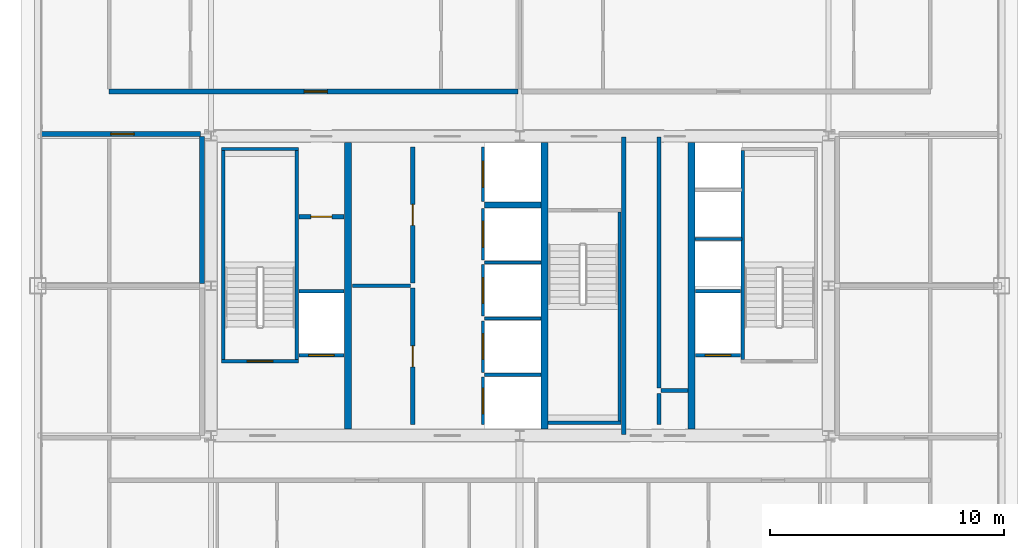
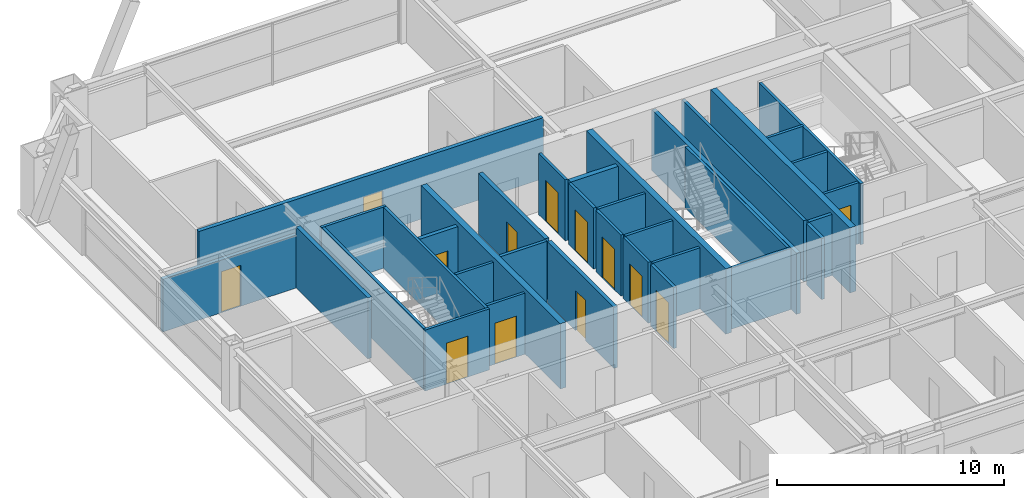
# One storey, part 32 of 35: 35 walls, 13 doors, 13 openings.
"""IFC4 building model written with IfcOpenShell, lengths in metres."""

import ifcopenshell
import ifcopenshell.guid

model = None  # the IFC model being written
_history = None  # IfcOwnerHistory: only IFC2X3 demands one
_inside = {}  # id of a spatial element -> (the spatial element, [elements in it])
_under = {}  # id of a project, library or spatial element -> (it, [spatial elements below it])
_declared = {}  # id of a project -> (the project, [libraries it declares])
_typed = {}  # id of a type object -> (the type object, [elements of that type])
_made_of = {}  # id of a material, layer set ... -> (it, [elements and type objects made of it])


def new_model(schema):
    """Start an empty IFC model of exactly this schema.

    Asked for "IFC4X3", IfcOpenShell would pick the latest addendum, in which some entities
    have other attributes; the version numbers below select the first issue.
    IFC2X3 requires an IfcOwnerHistory on every rooted entity: one is made here for all.
    """
    global model, _history
    if schema == "IFC4X3":
        model = ifcopenshell.file(schema_version=(4, 3, 0, 0))
    else:
        model = ifcopenshell.file(schema=schema)
    _inside.clear()
    _under.clear()
    _declared.clear()
    _typed.clear()
    _made_of.clear()
    _history = None
    if model.schema == "IFC2X3":
        org = make("IfcOrganization", Name="unknown")
        user = make(
            "IfcPersonAndOrganization",
            ThePerson=make("IfcPerson", FamilyName="unknown"),
            TheOrganization=org,
        )
        app = make(
            "IfcApplication",
            ApplicationDeveloper=org,
            Version="unknown",
            ApplicationFullName="unknown",
            ApplicationIdentifier="unknown",
        )
        _history = make(
            "IfcOwnerHistory",
            OwningUser=user,
            OwningApplication=app,
            ChangeAction="ADDED",
            CreationDate=0,
        )
    return model


def make(cls, **values):
    """One entity of the class cls with the attributes given. An attribute that is None is left unset."""
    return model.create_entity(
        cls, **{name: value for name, value in values.items() if value is not None}
    )


def rooted(cls, **values):
    """An entity with a GlobalId (a new one), such as an element, a storey or a relation."""
    return make(cls, GlobalId=ifcopenshell.guid.new(), OwnerHistory=_history, **values)


def si_unit(unit_type, name, prefix=None):
    """IfcSIUnit, for example si_unit("LENGTHUNIT", "METRE", prefix="MILLI")."""
    return make("IfcSIUnit", UnitType=unit_type, Prefix=prefix, Name=name)


def assignment(units):
    """IfcUnitAssignment: the units of a project."""
    return None if units is None else make("IfcUnitAssignment", Units=units)


def point(xyz):
    """IfcCartesianPoint."""
    return None if xyz is None else make("IfcCartesianPoint", Coordinates=xyz)


def direction(xyz):
    """IfcDirection."""
    return None if xyz is None else make("IfcDirection", DirectionRatios=xyz)


def frame(location, z_axis=None, x_axis=None):
    """IfcAxis2Placement3D, a coordinate frame: its origin and axes. An axis left out is left unset."""
    return make(
        "IfcAxis2Placement3D",
        Location=point(location),
        Axis=direction(z_axis),
        RefDirection=direction(x_axis),
    )


def frame_2d(location, x_axis=None):
    """IfcAxis2Placement2D, a coordinate frame in the plane: its origin and x axis."""
    return make(
        "IfcAxis2Placement2D", Location=point(location), RefDirection=direction(x_axis)
    )


def origin():
    """The frame at (0, 0, 0) with its axes left unset."""
    return frame((0.0, 0.0, 0.0))


def place(relative_to, where):
    """IfcLocalPlacement: puts the frame where relative to a parent placement (None: the world)."""
    return make(
        "IfcLocalPlacement", PlacementRelTo=relative_to, RelativePlacement=where
    )


def context(
    kind, dimensions, precision=None, world=None, true_north=None, identifier=None
):
    """IfcGeometricRepresentationContext, for example the 3D "Model" context."""
    return make(
        "IfcGeometricRepresentationContext",
        ContextIdentifier=identifier,
        ContextType=kind,
        CoordinateSpaceDimension=dimensions,
        Precision=precision,
        WorldCoordinateSystem=world,
        TrueNorth=true_north,
    )


def subcontext(parent, identifier, kind, view, scale=None):
    """IfcGeometricRepresentationSubContext, for example "Body" below "Model"."""
    return make(
        "IfcGeometricRepresentationSubContext",
        ContextIdentifier=identifier,
        ContextType=kind,
        ParentContext=parent,
        TargetScale=scale,
        TargetView=view,
    )


def project(units=None, contexts=None):
    """IfcProject with its units and contexts."""
    return rooted(
        "IfcProject",
        Name="project",
        RepresentationContexts=contexts,
        UnitsInContext=assignment(units),
    )


def spatial(cls, under=None, at=None, **own):
    """A site, building, storey or space (cls), placed at a placement, below another one or the project."""
    s = rooted(cls, ObjectPlacement=at, **own)
    if under is not None:
        _under.setdefault(under.id(), (under, []))[1].append(s)
    return s


def profile(cls, at=None, kind="AREA", **sizes):
    """A parametric profile (cls). Its sizes go by their IFC names, for example OverallWidth=200.0."""
    return make(cls, ProfileType=kind, Position=at, **sizes)


def rectangle(**sizes):
    """IfcRectangleProfileDef."""
    return profile("IfcRectangleProfileDef", **sizes)


def extrude(swept, where, along, depth):
    """IfcExtrudedAreaSolid: the profile swept, set in the frame where, extruded along a direction by depth."""
    return make(
        "IfcExtrudedAreaSolid",
        SweptArea=swept,
        Position=where,
        ExtrudedDirection=direction(along),
        Depth=depth,
    )


def shape(context_of_items, identifier, shape_type, items):
    """IfcShapeRepresentation: the items that make up one representation, for example the "Body"."""
    return make(
        "IfcShapeRepresentation",
        ContextOfItems=context_of_items,
        RepresentationIdentifier=identifier,
        RepresentationType=shape_type,
        Items=items,
    )


def source(mapping_origin, context_of_items, identifier, shape_type, items):
    """IfcRepresentationMap: a shape defined once, which mapped items show again and again."""
    return make(
        "IfcRepresentationMap",
        MappingOrigin=mapping_origin,
        MappedRepresentation=shape(context_of_items, identifier, shape_type, items),
    )


def transform(
    local_origin,
    x_axis=None,
    y_axis=None,
    z_axis=None,
    scale=None,
    scale2=None,
    scale3=None,
    uniform=True,
):
    """IfcCartesianTransformationOperator3D, or its non-uniform kind. x_axis, y_axis, z_axis: its Axis1, 2, 3."""
    if uniform:
        return make(
            "IfcCartesianTransformationOperator3D",
            Axis1=direction(x_axis),
            Axis2=direction(y_axis),
            LocalOrigin=point(local_origin),
            Scale=scale,
            Axis3=direction(z_axis),
        )
    return make(
        "IfcCartesianTransformationOperator3DnonUniform",
        Axis1=direction(x_axis),
        Axis2=direction(y_axis),
        LocalOrigin=point(local_origin),
        Scale=scale,
        Axis3=direction(z_axis),
        Scale2=scale2,
        Scale3=scale3,
    )


def mapped(mapping_source, mapping_target):
    """IfcMappedItem: shows the shape of a source again, moved by a transform."""
    return make(
        "IfcMappedItem", MappingSource=mapping_source, MappingTarget=mapping_target
    )


def material(Name=None, Category=None):
    """IfcMaterial."""
    return make("IfcMaterial", Name=Name, Category=Category)


def layer(
    of_material, thickness, ventilated=None, Name=None, Category=None, Priority=None
):
    """IfcMaterialLayer: one layer of a wall or slab, of a material (None: an air gap)."""
    return make(
        "IfcMaterialLayer",
        Material=of_material,
        LayerThickness=thickness,
        IsVentilated=ventilated,
        Name=Name,
        Category=Category,
        Priority=Priority,
    )


def layer_set(layers, Name=None):
    """IfcMaterialLayerSet."""
    return make("IfcMaterialLayerSet", MaterialLayers=layers, LayerSetName=Name)


def made_of(thing, what):
    """Note that an element or type object is made of a material, layer set ...; save() writes the relation."""
    if what is not None:
        _made_of.setdefault(what.id(), (what, []))[1].append(thing)
    return thing


def type_object(cls, material=None, **own):
    """A type object (cls), such as IfcWallType, which elements share."""
    return made_of(rooted(cls, **own), material)


def element(
    cls,
    number,
    at=None,
    inside=None,
    cuts=None,
    type_object=None,
    material=None,
    context=None,
    identifier="Body",
    shape_type=None,
    held_by="IfcProductDefinitionShape",
    body=None,
    shapes=None,
    **own,
):
    """One element of the class cls, such as IfcWall. Its Tag is "e" and its number.

    at: its placement. inside: the storey or other place that contains it. cuts: it is an
    opening in that element (IfcRelVoidsElement). A single representation is given by context,
    identifier, shape_type and body (its items); several are given by shapes. held_by: the class
    of the entity that holds the representations. save() writes the other relations.
    """
    e = rooted(cls, Tag="e%d" % number, ObjectPlacement=at, **own)
    if body is not None:
        shapes = [shape(context, identifier, shape_type, body)]
    if shapes is not None:
        e.Representation = make(held_by, Representations=shapes)
    if inside is not None:
        _inside.setdefault(inside.id(), (inside, []))[1].append(e)
    if cuts is not None:
        rooted(
            "IfcRelVoidsElement", RelatingBuildingElement=cuts, RelatedOpeningElement=e
        )
    if type_object is not None:
        _typed.setdefault(type_object.id(), (type_object, []))[1].append(e)
    return made_of(e, material)


def fill(opening, filler):
    """IfcRelFillsElement: the door or window that sits in an opening."""
    return rooted(
        "IfcRelFillsElement",
        RelatingOpeningElement=opening,
        RelatedBuildingElement=filler,
    )


def aggregate(whole, parts):
    """IfcRelAggregates: a whole, such as a stair, and the parts it consists of."""
    return rooted("IfcRelAggregates", RelatingObject=whole, RelatedObjects=parts)


def save(model, path):
    """Write the relations noted so far, then the file.

    IfcRelAggregates (storeys below a building ...), IfcRelContainedInSpatialStructure (elements
    in a storey), IfcRelDefinesByType, IfcRelAssociatesMaterial and IfcRelDeclares: one each for
    every whole, place, type object, material and project.
    """
    for whole, parts in _under.values():
        aggregate(whole, parts)
    for where, things in _inside.values():
        rooted(
            "IfcRelContainedInSpatialStructure",
            RelatedElements=things,
            RelatingStructure=where,
        )
    for kind, things in _typed.values():
        rooted("IfcRelDefinesByType", RelatedObjects=things, RelatingType=kind)
    for what, things in _made_of.values():
        rooted("IfcRelAssociatesMaterial", RelatedObjects=things, RelatingMaterial=what)
    for by, libraries in _declared.values():
        rooted("IfcRelDeclares", RelatingContext=by, RelatedDefinitions=libraries)
    model.write(path)


model = new_model("IFC4")

# Units and contexts
model_context = context("Model", 3, precision=1e-05, world=origin(), true_north=direction((0.0, 1.0)))
body_context = subcontext(model_context, "Body", "Model", "MODEL_VIEW")
ifc_project = project(units=[si_unit("LENGTHUNIT", "METRE"), si_unit("AREAUNIT", "SQUARE_METRE"), si_unit("VOLUMEUNIT", "CUBIC_METRE"), si_unit("PLANEANGLEUNIT", "RADIAN"), si_unit("MASSUNIT", "GRAM", prefix="KILO"), si_unit("THERMODYNAMICTEMPERATUREUNIT", "KELVIN"), si_unit("POWERUNIT", "WATT")], contexts=[model_context])

# Site, building, storey
site_placement = place(None, origin())
site = spatial("IfcSite", under=ifc_project, at=site_placement, CompositionType="ELEMENT")
building_placement = place(site_placement, origin())
building = spatial("IfcBuilding", under=site, at=building_placement, Name="Yuzanri Waterfront Tower", CompositionType="ELEMENT")
storey_placement = place(building_placement, frame((0.0, 0.0, 227.60009765625)))
storey = spatial("IfcBuildingStorey", under=building, at=storey_placement, Name="L60", CompositionType="ELEMENT", Elevation=227.60009765625)

# Wall, opening, door
ifc_material_1 = material(Name="Concrete C40", Category="concrete")
ifc_layer_1 = layer(ifc_material_1, 0.139892578125)
ifc_layer_set_1 = layer_set([ifc_layer_1], Name="Concrete C40")
wall_type_1 = type_object("IfcWallType", Name="Core Stair Liner and Hoistway Shaft Wall 140", PredefinedType="SOLIDWALL", material=ifc_layer_set_1)
wall_1_placement = place(storey_placement, frame((27.56005859375, 22.830078125, 0.0), z_axis=(0.0, 0.0, 1.0), x_axis=(1.0, 0.0, 0.0)))
wall_1 = element("IfcWall", 1, at=wall_1_placement, inside=storey, type_object=wall_type_1, Name="L60 Lift FL-01 Front Shaft Wall", PredefinedType="SOLIDWALL", context=body_context, shape_type="SweptSolid", body=[
    extrude(rectangle(XDim=1.919921875, YDim=0.139892578125, at=frame_2d((0.9599609375, 0.0))), origin(), (0.0, 0.0, 1.0), 3.27978515625),
])
opening_1_placement = place(wall_1_placement, frame((0.409912109375, 0.0, 0.0)))
opening_1 = element("IfcOpeningElement", 2, at=opening_1_placement, cuts=wall_1, Name="Opening LD-FL-01", PredefinedType="OPENING", context=body_context, shape_type="SweptSolid", body=[
    extrude(rectangle(XDim=1.10009765625, YDim=2.199951171875, at=frame_2d((0.550048828125, 1.10009765625))), frame((0.0, 0.0849609375, 0.0), z_axis=(0.0, -1.0, 0.0), x_axis=(1.0, 0.0, 0.0)), (0.0, 0.0, 1.0), 0.169677734375),
])
ifc_material_2 = material(Name="Brushed Bronze and Stainless Steel Cab", Category="steel")
door_type_1 = type_object("IfcDoorType", Name="Center-Parting Bronze Lift Landing Sliding Door 1100x2200", OperationType="NOTDEFINED", PredefinedType="DOOR", material=ifc_material_2)
shared_shape_1 = source(origin(), body_context, "Body", "SweptSolid", [
    extrude(rectangle(XDim=1.10009765625, YDim=2.199951171875, at=frame_2d((0.550048828125, 1.10009765625))), frame((0.0, 0.02490234375, 0.0), z_axis=(0.0, -1.0, 0.0), x_axis=(1.0, 0.0, 0.0)), (0.0, 0.0, 1.0), 0.050048828125),
])
door_1_placement = place(opening_1_placement, origin())
door_1 = element("IfcDoor", 3, at=door_1_placement, inside=storey, type_object=door_type_1, Name="L60 FL-01 Lift Landing Sliding Door", OperationType="SLIDING_TO_LEFT", OverallHeight=2.199951171875, OverallWidth=1.10009765625, PredefinedType="DOOR", context=body_context, shape_type="MappedRepresentation", body=[
    mapped(shared_shape_1, transform((0.0, 0.0, 0.0), scale=1.0)),
])
fill(opening_1, door_1)

wall_2_placement = place(storey_placement, frame((44.52001953125, 22.830078125, 0.0), z_axis=(0.0, 0.0, 1.0), x_axis=(1.0, 0.0, 0.0)))
wall_2 = element("IfcWall", 4, at=wall_2_placement, inside=storey, type_object=wall_type_1, Name="L60 Lift FL-02 Front Shaft Wall", PredefinedType="SOLIDWALL", context=body_context, shape_type="SweptSolid", body=[
    extrude(rectangle(XDim=1.919921875, YDim=0.139892578125, at=frame_2d((0.9599609375, 0.0))), origin(), (0.0, 0.0, 1.0), 3.27978515625),
])
opening_2_placement = place(wall_2_placement, frame((0.409912109375, 0.0, 0.0)))
opening_2 = element("IfcOpeningElement", 5, at=opening_2_placement, cuts=wall_2, Name="Opening LD-FL-02", PredefinedType="OPENING", context=body_context, shape_type="SweptSolid", body=[
    extrude(rectangle(XDim=1.10009765625, YDim=2.199951171875, at=frame_2d((0.550048828125, 1.10009765625))), frame((0.0, 0.0849609375, 0.0), z_axis=(0.0, -1.0, 0.0), x_axis=(1.0, 0.0, 0.0)), (0.0, 0.0, 1.0), 0.169677734375),
])
door_2_placement = place(opening_2_placement, origin())
door_2 = element("IfcDoor", 6, at=door_2_placement, inside=storey, type_object=door_type_1, Name="L60 FL-02 Lift Landing Sliding Door", OperationType="SLIDING_TO_RIGHT", OverallHeight=2.199951171875, OverallWidth=1.10009765625, PredefinedType="DOOR", context=body_context, shape_type="MappedRepresentation", body=[
    mapped(shared_shape_1, transform((0.0, 0.0, 0.0), scale=1.0)),
])
fill(opening_2, door_2)

wall_3_placement = place(storey_placement, frame((35.429931640625, 19.860107421875, 0.0), z_axis=(0.0, 0.0, 1.0), x_axis=(0.0, 1.0, 0.0)))
wall_3 = element("IfcWall", 7, at=wall_3_placement, inside=storey, type_object=wall_type_1, Name="L60 Lift PL-05 Front Shaft Wall", PredefinedType="SOLIDWALL", context=body_context, shape_type="SweptSolid", body=[
    extrude(rectangle(XDim=2.039794921875, YDim=0.139892578125, at=frame_2d((1.02001953125, 0.0))), origin(), (0.0, 0.0, 1.0), 3.27978515625),
])
opening_3_placement = place(wall_3_placement, frame((0.469970703125, 0.0, 0.0)))
opening_3 = element("IfcOpeningElement", 8, at=opening_3_placement, cuts=wall_3, Name="Opening LD-PL-05", PredefinedType="OPENING", context=body_context, shape_type="SweptSolid", body=[
    extrude(rectangle(XDim=1.10009765625, YDim=2.199951171875, at=frame_2d((0.550048828125, 1.10009765625))), frame((0.0, 0.0849609375, 0.0), z_axis=(0.0, -1.0, 0.0), x_axis=(1.0, 0.0, 0.0)), (0.0, 0.0, 1.0), 0.169677734375),
])
door_3_placement = place(opening_3_placement, origin())
door_3 = element("IfcDoor", 9, at=door_3_placement, inside=storey, type_object=door_type_1, Name="L60 PL-05 Lift Landing Sliding Door", OperationType="SLIDING_TO_RIGHT", OverallHeight=2.199951171875, OverallWidth=1.10009765625, PredefinedType="DOOR", context=body_context, shape_type="MappedRepresentation", body=[
    mapped(shared_shape_1, transform((0.0, 0.0, 0.0), scale=1.0)),
])
fill(opening_3, door_3)

wall_4_placement = place(storey_placement, frame((35.429931640625, 22.10009765625, 0.0), z_axis=(0.0, 0.0, 1.0), x_axis=(0.0, 1.0, 0.0)))
wall_4 = element("IfcWall", 10, at=wall_4_placement, inside=storey, type_object=wall_type_1, Name="L60 Lift PL-06 Front Shaft Wall", PredefinedType="SOLIDWALL", context=body_context, shape_type="SweptSolid", body=[
    extrude(rectangle(XDim=2.199951171875, YDim=0.139892578125, at=frame_2d((1.10009765625, 0.0))), origin(), (0.0, 0.0, 1.0), 3.27978515625),
])
opening_4_placement = place(wall_4_placement, frame((0.550048828125, 0.0, 0.0)))
opening_4 = element("IfcOpeningElement", 11, at=opening_4_placement, cuts=wall_4, Name="Opening LD-PL-06", PredefinedType="OPENING", context=body_context, shape_type="SweptSolid", body=[
    extrude(rectangle(XDim=1.10009765625, YDim=2.199951171875, at=frame_2d((0.550048828125, 1.10009765625))), frame((0.0, 0.0849609375, 0.0), z_axis=(0.0, -1.0, 0.0), x_axis=(1.0, 0.0, 0.0)), (0.0, 0.0, 1.0), 0.169677734375),
])
door_4_placement = place(opening_4_placement, origin())
door_4 = element("IfcDoor", 12, at=door_4_placement, inside=storey, type_object=door_type_1, Name="L60 PL-06 Lift Landing Sliding Door", OperationType="SLIDING_TO_LEFT", OverallHeight=2.199951171875, OverallWidth=1.10009765625, PredefinedType="DOOR", context=body_context, shape_type="MappedRepresentation", body=[
    mapped(shared_shape_1, transform((0.0, 0.0, 0.0), scale=1.0)),
])
fill(opening_4, door_4)

wall_5_placement = place(storey_placement, frame((35.429931640625, 24.5, 0.0), z_axis=(0.0, 0.0, 1.0), x_axis=(0.0, 1.0, 0.0)))
wall_5 = element("IfcWall", 13, at=wall_5_placement, inside=storey, type_object=wall_type_1, Name="L60 Lift PL-07 Front Shaft Wall", PredefinedType="SOLIDWALL", context=body_context, shape_type="SweptSolid", body=[
    extrude(rectangle(XDim=2.199951171875, YDim=0.139892578125, at=frame_2d((1.10009765625, 0.0))), origin(), (0.0, 0.0, 1.0), 3.27978515625),
])
opening_5_placement = place(wall_5_placement, frame((0.550048828125, 0.0, 0.0)))
opening_5 = element("IfcOpeningElement", 14, at=opening_5_placement, cuts=wall_5, Name="Opening LD-PL-07", PredefinedType="OPENING", context=body_context, shape_type="SweptSolid", body=[
    extrude(rectangle(XDim=1.10009765625, YDim=2.199951171875, at=frame_2d((0.550048828125, 1.10009765625))), frame((0.0, 0.0849609375, 0.0), z_axis=(0.0, -1.0, 0.0), x_axis=(1.0, 0.0, 0.0)), (0.0, 0.0, 1.0), 0.169677734375),
])
door_5_placement = place(opening_5_placement, origin())
door_5 = element("IfcDoor", 15, at=door_5_placement, inside=storey, type_object=door_type_1, Name="L60 PL-07 Lift Landing Sliding Door", OperationType="SLIDING_TO_RIGHT", OverallHeight=2.199951171875, OverallWidth=1.10009765625, PredefinedType="DOOR", context=body_context, shape_type="MappedRepresentation", body=[
    mapped(shared_shape_1, transform((0.0, 0.0, 0.0), scale=1.0)),
])
fill(opening_5, door_5)

wall_6_placement = place(storey_placement, frame((35.429931640625, 26.89990234375, 0.0), z_axis=(0.0, 0.0, 1.0), x_axis=(0.0, 1.0, 0.0)))
wall_6 = element("IfcWall", 16, at=wall_6_placement, inside=storey, type_object=wall_type_1, Name="L60 Lift PL-08 Front Shaft Wall", PredefinedType="SOLIDWALL", context=body_context, shape_type="SweptSolid", body=[
    extrude(rectangle(XDim=2.2001953125, YDim=0.139892578125, at=frame_2d((1.10009765625, 0.0))), origin(), (0.0, 0.0, 1.0), 3.27978515625),
])
opening_6_placement = place(wall_6_placement, frame((0.550048828125, 0.0, 0.0)))
opening_6 = element("IfcOpeningElement", 17, at=opening_6_placement, cuts=wall_6, Name="Opening LD-PL-08", PredefinedType="OPENING", context=body_context, shape_type="SweptSolid", body=[
    extrude(rectangle(XDim=1.10009765625, YDim=2.199951171875, at=frame_2d((0.550048828125, 1.10009765625))), frame((0.0, 0.0849609375, 0.0), z_axis=(0.0, -1.0, 0.0), x_axis=(1.0, 0.0, 0.0)), (0.0, 0.0, 1.0), 0.169677734375),
])
door_6_placement = place(opening_6_placement, origin())
door_6 = element("IfcDoor", 18, at=door_6_placement, inside=storey, type_object=door_type_1, Name="L60 PL-08 Lift Landing Sliding Door", OperationType="SLIDING_TO_LEFT", OverallHeight=2.199951171875, OverallWidth=1.10009765625, PredefinedType="DOOR", context=body_context, shape_type="MappedRepresentation", body=[
    mapped(shared_shape_1, transform((0.0, 0.0, 0.0), scale=1.0)),
])
fill(opening_6, door_6)

wall_7_placement = place(storey_placement, frame((35.429931640625, 29.39990234375, 0.0), z_axis=(0.0, 0.0, 1.0), x_axis=(0.0, 1.0, 0.0)))
wall_7 = element("IfcWall", 19, at=wall_7_placement, inside=storey, type_object=wall_type_1, Name="L60 Lift SL-02 Front Shaft Wall", PredefinedType="SOLIDWALL", context=body_context, shape_type="SweptSolid", body=[
    extrude(rectangle(XDim=2.340087890625, YDim=0.139892578125, at=frame_2d((1.169921875, 0.0))), origin(), (0.0, 0.0, 1.0), 3.27978515625),
])
opening_7_placement = place(wall_7_placement, frame((0.6201171875, 0.0, 0.0)))
opening_7 = element("IfcOpeningElement", 20, at=opening_7_placement, cuts=wall_7, Name="Opening LD-SL-02", PredefinedType="OPENING", context=body_context, shape_type="SweptSolid", body=[
    extrude(rectangle(XDim=1.10009765625, YDim=2.199951171875, at=frame_2d((0.550048828125, 1.10009765625))), frame((0.0, 0.0849609375, 0.0), z_axis=(0.0, -1.0, 0.0), x_axis=(1.0, 0.0, 0.0)), (0.0, 0.0, 1.0), 0.169677734375),
])
door_7_placement = place(opening_7_placement, origin())
door_7 = element("IfcDoor", 21, at=door_7_placement, inside=storey, type_object=door_type_1, Name="L60 SL-02 Lift Landing Sliding Door", OperationType="SLIDING_TO_RIGHT", OverallHeight=2.199951171875, OverallWidth=1.10009765625, PredefinedType="DOOR", context=body_context, shape_type="MappedRepresentation", body=[
    mapped(shared_shape_1, transform((0.0, 0.0, 0.0), scale=1.0)),
])
fill(opening_7, door_7)

wall_8_placement = place(storey_placement, frame((24.260009765625, 22.570068359375, 0.0), z_axis=(0.0, 0.0, 1.0), x_axis=(1.0, 0.0, 0.0)))
wall_8 = element("IfcWall", 22, at=wall_8_placement, inside=storey, type_object=wall_type_1, Name="L60 Shaft Wall STW-L60-ST-01-S", PredefinedType="SOLIDWALL", context=body_context, shape_type="SweptSolid", body=[
    extrude(rectangle(XDim=3.280029296875, YDim=0.139892578125, at=frame_2d((1.64013671875, 0.0))), origin(), (0.0, 0.0, 1.0), 3.27978515625),
])
opening_8_placement = place(wall_8_placement, frame((1.090087890625, 0.0, 0.0)))
opening_8 = element("IfcOpeningElement", 23, at=opening_8_placement, cuts=wall_8, Name="Opening FD-1100", PredefinedType="OPENING", context=body_context, shape_type="SweptSolid", body=[
    extrude(rectangle(XDim=1.10009765625, YDim=2.199951171875, at=frame_2d((0.550048828125, 1.10009765625))), frame((0.0, 0.0849609375, 0.0), z_axis=(0.0, -1.0, 0.0), x_axis=(1.0, 0.0, 0.0)), (0.0, 0.0, 1.0), 0.169677734375),
])
ifc_material_3 = material(Name="Painted Galvanized Fire Steel", Category="steel")
door_type_2 = type_object("IfcDoorType", Name="Smoke-Proof Stair and Lobby Fire Door 1100x2200", OperationType="NOTDEFINED", PredefinedType="DOOR", material=ifc_material_3)
shared_shape_2 = source(origin(), body_context, "Body", "SweptSolid", [
    extrude(rectangle(XDim=1.10009765625, YDim=2.199951171875, at=frame_2d((0.550048828125, 1.10009765625))), frame((0.0, 0.02490234375, 0.0), z_axis=(0.0, -1.0, 0.0), x_axis=(1.0, 0.0, 0.0)), (0.0, 0.0, 1.0), 0.050048828125),
])
door_8_placement = place(opening_8_placement, origin())
door_8 = element("IfcDoor", 24, at=door_8_placement, inside=storey, type_object=door_type_2, Name="L60 Stair ST-01 Fire Door", OperationType="SINGLE_SWING_RIGHT", OverallHeight=2.199951171875, OverallWidth=1.10009765625, PredefinedType="DOOR", context=body_context, shape_type="MappedRepresentation", body=[
    mapped(shared_shape_2, transform((0.0, 0.0, 0.0), scale=1.0)),
])
fill(opening_8, door_8)

ifc_material_4 = material(Name="Autoclaved Aerated Concrete Blockwork", Category="masonry")
ifc_layer_2 = layer(ifc_material_4, 0.199951171875)
ifc_layer_set_2 = layer_set([ifc_layer_2], Name="Autoclaved Aerated Concrete Blockwork")
wall_type_2 = type_object("IfcWallType", Name="Corridor and Unit Party Fire Wall 200", PredefinedType="PARTITIONING", material=ifc_layer_set_2)
wall_9_placement = place(storey_placement, frame((27.56005859375, 28.75, 0.0), z_axis=(0.0, 0.0, 1.0), x_axis=(1.0, 0.0, 0.0)))
wall_9 = element("IfcWall", 25, at=wall_9_placement, inside=storey, type_object=wall_type_2, Name="L60 Partition CRW-L60-ERTR", PredefinedType="PARTITIONING", context=body_context, shape_type="SweptSolid", body=[
    extrude(rectangle(XDim=1.919921875, YDim=0.199951171875, at=frame_2d((0.9599609375, 0.0))), origin(), (0.0, 0.0, 1.0), 3.27978515625),
])
opening_9_placement = place(wall_9_placement, frame((0.510009765625, 0.0, 0.0)))
opening_9 = element("IfcOpeningElement", 26, at=opening_9_placement, cuts=wall_9, Name="Opening FD-0900", PredefinedType="OPENING", context=body_context, shape_type="SweptSolid", body=[
    extrude(rectangle(XDim=0.89990234375, YDim=2.14990234375, at=frame_2d((0.449951171875, 1.074951171875))), frame((0.0, 0.11474609375, 0.0), z_axis=(0.0, -1.0, 0.0), x_axis=(1.0, 0.0, 0.0)), (0.0, 0.0, 1.0), 0.229736328125),
])
ifc_material_5 = material(Name="Painted Galvanized Fire Steel", Category="steel")
door_type_3 = type_object("IfcDoorType", Name="Riser and Service Room Fire Door 900x2150", OperationType="NOTDEFINED", PredefinedType="DOOR", material=ifc_material_5)
shared_shape_3 = source(origin(), body_context, "Body", "SweptSolid", [
    extrude(rectangle(XDim=0.89990234375, YDim=2.14990234375, at=frame_2d((0.449951171875, 1.074951171875))), frame((0.0, 0.02490234375, 0.0), z_axis=(0.0, -1.0, 0.0), x_axis=(1.0, 0.0, 0.0)), (0.0, 0.0, 1.0), 0.050048828125),
])
door_9_placement = place(opening_9_placement, origin())
door_9 = element("IfcDoor", 27, at=door_9_placement, inside=storey, type_object=door_type_3, Name="L60 Electrical Riser Door", OperationType="SINGLE_SWING_LEFT", OverallHeight=2.14990234375, OverallWidth=0.89990234375, PredefinedType="DOOR", context=body_context, shape_type="MappedRepresentation", body=[
    mapped(shared_shape_3, transform((0.0, 0.0, 0.0), scale=1.0)),
])
fill(opening_9, door_9)

wall_10_placement = place(storey_placement, frame((32.419921875, 19.860107421875, 0.0), z_axis=(0.0, 0.0, 1.0), x_axis=(0.0, 1.0, 0.0)))
wall_10 = element("IfcWall", 28, at=wall_10_placement, inside=storey, type_object=wall_type_2, Name="L60 Partition CRW-L60-B1R-1", PredefinedType="PARTITIONING", context=body_context, shape_type="SweptSolid", body=[
    extrude(rectangle(XDim=5.83984375, YDim=0.199951171875, at=frame_2d((2.919921875, 0.0))), origin(), (0.0, 0.0, 1.0), 3.27978515625),
])
opening_10_placement = place(wall_10_placement, frame((2.469970703125, 0.0, 0.0)))
opening_10 = element("IfcOpeningElement", 29, at=opening_10_placement, cuts=wall_10, Name="Opening FD-0900", PredefinedType="OPENING", context=body_context, shape_type="SweptSolid", body=[
    extrude(rectangle(XDim=0.89990234375, YDim=2.14990234375, at=frame_2d((0.449951171875, 1.074951171875))), frame((0.0, 0.11474609375, 0.0), z_axis=(0.0, -1.0, 0.0), x_axis=(1.0, 0.0, 0.0)), (0.0, 0.0, 1.0), 0.229736328125),
])
door_10_placement = place(opening_10_placement, origin())
door_10 = element("IfcDoor", 30, at=door_10_placement, inside=storey, type_object=door_type_3, Name="L60 South Private Store Room", OperationType="SINGLE_SWING_RIGHT", OverallHeight=2.14990234375, OverallWidth=0.89990234375, PredefinedType="DOOR", context=body_context, shape_type="MappedRepresentation", body=[
    mapped(shared_shape_3, transform((0.0, 0.0, 0.0), scale=1.0)),
])
fill(opening_10, door_10)

wall_11_placement = place(storey_placement, frame((32.419921875, 25.919921875, 0.0), z_axis=(0.0, 0.0, 1.0), x_axis=(0.0, 1.0, 0.0)))
wall_11 = element("IfcWall", 31, at=wall_11_placement, inside=storey, type_object=wall_type_2, Name="L60 Partition CRW-L60-B1R-2", PredefinedType="PARTITIONING", context=body_context, shape_type="SweptSolid", body=[
    extrude(rectangle(XDim=5.820068359375, YDim=0.199951171875, at=frame_2d((2.91015625, 0.0))), origin(), (0.0, 0.0, 1.0), 3.27978515625),
])
opening_11_placement = place(wall_11_placement, frame((2.4599609375, 0.0, 0.0)))
opening_11 = element("IfcOpeningElement", 32, at=opening_11_placement, cuts=wall_11, Name="Opening FD-0900", PredefinedType="OPENING", context=body_context, shape_type="SweptSolid", body=[
    extrude(rectangle(XDim=0.89990234375, YDim=2.14990234375, at=frame_2d((0.449951171875, 1.074951171875))), frame((0.0, 0.11474609375, 0.0), z_axis=(0.0, -1.0, 0.0), x_axis=(1.0, 0.0, 0.0)), (0.0, 0.0, 1.0), 0.229736328125),
])
door_11_placement = place(opening_11_placement, origin())
door_11 = element("IfcDoor", 33, at=door_11_placement, inside=storey, type_object=door_type_3, Name="L60 North Private Store Room", OperationType="SINGLE_SWING_LEFT", OverallHeight=2.14990234375, OverallWidth=0.89990234375, PredefinedType="DOOR", context=body_context, shape_type="MappedRepresentation", body=[
    mapped(shared_shape_3, transform((0.0, 0.0, 0.0), scale=1.0)),
])
fill(opening_11, door_11)

wall_12_placement = place(storey_placement, frame((19.43994140625, 34.110107421875, 0.0), z_axis=(0.0, 0.0, 1.0), x_axis=(1.0, 0.0, 0.0)))
wall_12 = element("IfcWall", 34, at=wall_12_placement, inside=storey, type_object=wall_type_2, Name="L60 Partition UW-L60-RN1-CS", PredefinedType="PARTITIONING", context=body_context, shape_type="SweptSolid", body=[
    extrude(rectangle(XDim=17.47998046875, YDim=0.199951171875, at=frame_2d((8.739990234375, 0.0))), origin(), (0.0, 0.0, 1.0), 3.27978515625),
])
opening_12_placement = place(wall_12_placement, frame((8.340087890625, 0.0, 0.0)))
opening_12 = element("IfcOpeningElement", 35, at=opening_12_placement, cuts=wall_12, Name="Opening FD-1000", PredefinedType="OPENING", context=body_context, shape_type="SweptSolid", body=[
    extrude(rectangle(XDim=1.0, YDim=2.199951171875, at=frame_2d((0.5, 1.10009765625))), frame((0.0, 0.11474609375, 0.0), z_axis=(0.0, -1.0, 0.0), x_axis=(1.0, 0.0, 0.0)), (0.0, 0.0, 1.0), 0.229736328125),
])
ifc_material_6 = material(Name="Engineered Oak Fire-Rated Timber", Category="wood")
door_type_4 = type_object("IfcDoorType", Name="Guestroom and Apartment Entrance Fire Door 1000x2200", OperationType="NOTDEFINED", PredefinedType="DOOR", material=ifc_material_6)
shared_shape_4 = source(origin(), body_context, "Body", "SweptSolid", [
    extrude(rectangle(XDim=1.0, YDim=2.199951171875, at=frame_2d((0.5, 1.10009765625))), frame((0.0, 0.02490234375, 0.0), z_axis=(0.0, -1.0, 0.0), x_axis=(1.0, 0.0, 0.0)), (0.0, 0.0, 1.0), 0.050048828125),
])
door_12_placement = place(opening_12_placement, origin())
door_12 = element("IfcDoor", 36, at=door_12_placement, inside=storey, type_object=door_type_4, Name="L60 Studio Living and Sleeping Room Entrance Door", OperationType="SINGLE_SWING_LEFT", OverallHeight=2.199951171875, OverallWidth=1.0, PredefinedType="DOOR", context=body_context, shape_type="MappedRepresentation", body=[
    mapped(shared_shape_4, transform((0.0, 0.0, 0.0), scale=1.0)),
])
fill(opening_12, door_12)

wall_13_placement = place(storey_placement, frame((16.550048828125, 32.2900390625, 0.0), z_axis=(0.0, 0.0, 1.0), x_axis=(1.0, 0.0, 0.0)))
wall_13 = element("IfcWall", 37, at=wall_13_placement, inside=storey, type_object=wall_type_2, Name="L60 Partition UW-L60-040-CN", PredefinedType="PARTITIONING", context=body_context, shape_type="SweptSolid", body=[
    extrude(rectangle(XDim=6.800048828125, YDim=0.199951171875, at=frame_2d((3.39990234375, 0.0))), origin(), (0.0, 0.0, 1.0), 2.824951171875),
])
opening_13_placement = place(wall_13_placement, frame((2.965087890625, 0.0, 0.0)))
opening_13 = element("IfcOpeningElement", 38, at=opening_13_placement, cuts=wall_13, Name="Opening FD-1000", PredefinedType="OPENING", context=body_context, shape_type="SweptSolid", body=[
    extrude(rectangle(XDim=1.0, YDim=2.199951171875, at=frame_2d((0.5, 1.10009765625))), frame((0.0, 0.11474609375, 0.0), z_axis=(0.0, -1.0, 0.0), x_axis=(1.0, 0.0, 0.0)), (0.0, 0.0, 1.0), 0.229736328125),
])
door_13_placement = place(opening_13_placement, origin())
door_13 = element("IfcDoor", 39, at=door_13_placement, inside=storey, type_object=door_type_4, Name="L60 Residents W Seminar Meeting Room Entrance Door", OperationType="SINGLE_SWING_RIGHT", OverallHeight=2.199951171875, OverallWidth=1.0, PredefinedType="DOOR", context=body_context, shape_type="MappedRepresentation", body=[
    mapped(shared_shape_4, transform((0.0, 0.0, 0.0), scale=1.0)),
])
fill(opening_13, door_13)

# Walls
ifc_material_7 = material(Name="Concrete C50", Category="concrete")
ifc_layer_3 = layer(ifc_material_7, 0.300048828125)
ifc_layer_set_3 = layer_set([ifc_layer_3], Name="Concrete C50")
wall_type_3 = type_object("IfcWallType", Name="Concrete C50 Internal Core Shaft Structural Wall 300", PredefinedType="SOLIDWALL", material=ifc_layer_set_3)
shared_shape_5 = source(origin(), body_context, "Body", "SweptSolid", [
    extrude(rectangle(XDim=12.25, YDim=0.300048828125, at=frame_2d((6.125, 0.0))), origin(), (0.0, 0.0, 1.0), 3.5),
])
for number, where, z_axis, x_axis, name in (
    (40, (29.64990234375, 19.675048828125, 0.0), (0.0, 0.0, 1.0), (0.0, 1.0, 0.0), "L60 Core Internal Structural Web Wall 1"),
    (41, (38.050048828125, 19.675048828125, 0.0), (0.0, 0.0, 1.0), (0.0, 1.0, 0.0), "L60 Core Internal Structural Web Wall 2"),
    (42, (44.35009765625, 19.675048828125, 0.0), (0.0, 0.0, 1.0), (0.0, 1.0, 0.0), "L60 Core Internal Structural Web Wall 3"),
):
    element("IfcWall", number, at=place(storey_placement, frame(where, z_axis=z_axis, x_axis=x_axis)), inside=storey, type_object=wall_type_3, Name=name, PredefinedType="SOLIDWALL", context=body_context, shape_type="MappedRepresentation", body=[
        mapped(shared_shape_5, transform((0.0, 0.0, 0.0), scale=1.0)),
    ])
shared_shape_6 = source(origin(), body_context, "Body", "SweptSolid", [
    extrude(rectangle(XDim=1.919921875, YDim=0.139892578125, at=frame_2d((0.9599609375, 0.0))), origin(), (0.0, 0.0, 1.0), 3.27978515625),
])
for number, where, z_axis, x_axis, name in (
    (43, (27.56005859375, 25.570068359375, 0.0), (0.0, 0.0, 1.0), (1.0, 0.0, 0.0), "L60 Lift FL-01 Back Shaft Wall"),
    (44, (44.52001953125, 25.570068359375, 0.0), (0.0, 0.0, 1.0), (1.0, 0.0, 0.0), "L60 Lift FL-02 Back Shaft Wall"),
):
    element("IfcWall", number, at=place(storey_placement, frame(where, z_axis=z_axis, x_axis=x_axis)), inside=storey, type_object=wall_type_1, Name=name, PredefinedType="SOLIDWALL", context=body_context, shape_type="MappedRepresentation", body=[
        mapped(shared_shape_6, transform((0.0, 0.0, 0.0), scale=1.0)),
    ])
shared_shape_7 = source(origin(), body_context, "Body", "SweptSolid", [
    extrude(rectangle(XDim=2.39990234375, YDim=0.139892578125, at=frame_2d((1.199951171875, 0.0))), origin(), (0.0, 0.0, 1.0), 3.27978515625),
])
for number, where, z_axis, x_axis, name in (
    (45, (35.5, 22.0, 0.0), (0.0, 0.0, 1.0), (1.0, 0.0, 0.0), "L60 Lift PL-05 Divider Wall"),
    (46, (35.5, 24.39990234375, 0.0), (0.0, 0.0, 1.0), (1.0, 0.0, 0.0), "L60 Lift PL-06 Divider Wall"),
    (47, (35.5, 26.800048828125, 0.0), (0.0, 0.0, 1.0), (1.0, 0.0, 0.0), "L60 Lift PL-07 Divider Wall"),
):
    element("IfcWall", number, at=place(storey_placement, frame(where, z_axis=z_axis, x_axis=x_axis)), inside=storey, type_object=wall_type_1, Name=name, PredefinedType="SOLIDWALL", context=body_context, shape_type="MappedRepresentation", body=[
        mapped(shared_shape_7, transform((0.0, 0.0, 0.0), scale=1.0)),
    ])
ifc_material_8 = material(Name="Concrete C40", Category="concrete")
ifc_layer_4 = layer(ifc_material_8, 0.25)
ifc_layer_set_4 = layer_set([ifc_layer_4], Name="Concrete C40")
wall_type_4 = type_object("IfcWallType", Name="Smoke-Proof Stair and Lift Shaft Wall 250", PredefinedType="SOLIDWALL", material=ifc_layer_set_4)
shared_shape_8 = source(origin(), body_context, "Body", "SweptSolid", [
    extrude(rectangle(XDim=2.39990234375, YDim=0.25, at=frame_2d((1.199951171875, 0.0))), origin(), (0.0, 0.0, 1.0), 3.27978515625),
])
wall_14_placement = place(storey_placement, frame((35.5, 29.25, 0.0), z_axis=(0.0, 0.0, 1.0), x_axis=(1.0, 0.0, 0.0)))
element("IfcWall", 48, at=wall_14_placement, inside=storey, type_object=wall_type_4, Name="L60 Lift SL-02 South Shaft Wall", PredefinedType="SOLIDWALL", context=body_context, shape_type="MappedRepresentation", body=[
    mapped(shared_shape_8, transform((0.0, 0.0, 0.0), scale=1.0)),
])
shared_shape_9 = source(origin(), body_context, "Body", "SweptSolid", [
    extrude(rectangle(XDim=2.0, YDim=0.139892578125, at=frame_2d((1.0, 0.0))), origin(), (0.0, 0.0, 1.0), 3.27978515625),
])
wall_15_placement = place(storey_placement, frame((44.5, 27.800048828125, 0.0), z_axis=(0.0, 0.0, 1.0), x_axis=(1.0, 0.0, 0.0)))
element("IfcWall", 49, at=wall_15_placement, inside=storey, type_object=wall_type_1, Name="L60 Lift PL-09 Divider Wall", PredefinedType="SOLIDWALL", context=body_context, shape_type="MappedRepresentation", body=[
    mapped(shared_shape_9, transform((0.0, 0.0, 0.0), scale=1.0)),
])
shared_shape_10 = source(origin(), body_context, "Body", "SweptSolid", [
    extrude(rectangle(XDim=3.280029296875, YDim=0.139892578125, at=frame_2d((1.64013671875, 0.0))), origin(), (0.0, 0.0, 1.0), 3.27978515625),
])
wall_16_placement = place(storey_placement, frame((24.260009765625, 31.64990234375, 0.0), z_axis=(0.0, 0.0, 1.0), x_axis=(1.0, 0.0, 0.0)))
element("IfcWall", 50, at=wall_16_placement, inside=storey, type_object=wall_type_1, Name="L60 Stair ST-01 North Shaft Wall", PredefinedType="SOLIDWALL", context=body_context, shape_type="MappedRepresentation", body=[
    mapped(shared_shape_10, transform((0.0, 0.0, 0.0), scale=1.0)),
])
shared_shape_11 = source(origin(), body_context, "Body", "SweptSolid", [
    extrude(rectangle(XDim=8.940185546875, YDim=0.139892578125, at=frame_2d((4.47021484375, 0.0))), origin(), (0.0, 0.0, 1.0), 3.27978515625),
])
for number, where, z_axis, x_axis, name in (
    (51, (24.330078125, 22.639892578125, 0.0), (0.0, 0.0, 1.0), (0.0, 1.0, 0.0), "L60 Stair ST-01 West Shaft Wall"),
    (52, (27.469970703125, 22.639892578125, 0.0), (0.0, 0.0, 1.0), (0.0, 1.0, 0.0), "L60 Stair ST-01 East Shaft Wall"),
    (53, (46.530029296875, 22.639892578125, 0.0), (0.0, 0.0, 1.0), (0.0, 1.0, 0.0), "L60 Stair ST-02 West Shaft Wall"),
):
    element("IfcWall", number, at=place(storey_placement, frame(where, z_axis=z_axis, x_axis=x_axis)), inside=storey, type_object=wall_type_1, Name=name, PredefinedType="SOLIDWALL", context=body_context, shape_type="MappedRepresentation", body=[
        mapped(shared_shape_11, transform((0.0, 0.0, 0.0), scale=1.0)),
    ])
shared_shape_12 = source(origin(), body_context, "Body", "SweptSolid", [
    extrude(rectangle(XDim=3.14013671875, YDim=0.139892578125, at=frame_2d((1.570068359375, 0.0))), origin(), (0.0, 0.0, 1.0), 3.27978515625),
])
wall_17_placement = place(storey_placement, frame((38.199951171875, 19.949951171875, 0.0), z_axis=(0.0, 0.0, 1.0), x_axis=(1.0, 0.0, 0.0)))
element("IfcWall", 54, at=wall_17_placement, inside=storey, type_object=wall_type_1, Name="L60 Stair ST-03 South Shaft Wall", PredefinedType="SOLIDWALL", context=body_context, shape_type="MappedRepresentation", body=[
    mapped(shared_shape_12, transform((0.0, 0.0, 0.0), scale=1.0)),
])
shared_shape_13 = source(origin(), body_context, "Body", "SweptSolid", [
    extrude(rectangle(XDim=8.93994140625, YDim=0.139892578125, at=frame_2d((4.469970703125, 0.0))), origin(), (0.0, 0.0, 1.0), 3.27978515625),
])
wall_18_placement = place(storey_placement, frame((41.27001953125, 20.02001953125, 0.0), z_axis=(0.0, 0.0, 1.0), x_axis=(0.0, 1.0, 0.0)))
element("IfcWall", 55, at=wall_18_placement, inside=storey, type_object=wall_type_1, Name="L60 Stair ST-03 East Shaft Wall", PredefinedType="SOLIDWALL", context=body_context, shape_type="MappedRepresentation", body=[
    mapped(shared_shape_13, transform((0.0, 0.0, 0.0), scale=1.0)),
])
ifc_material_9 = material(Name="Gypsum Fireboard Acoustic Stud Wall", Category="gypsum")
ifc_layer_5 = layer(ifc_material_9, 0.159912109375)
ifc_layer_set_5 = layer_set([ifc_layer_5], Name="Gypsum Fireboard Acoustic Stud Wall")
wall_type_5 = type_object("IfcWallType", Name="Acoustic Suite Demising Partition 160", PredefinedType="PARTITIONING", material=ifc_layer_set_5)
shared_shape_14 = source(origin(), body_context, "Body", "SweptSolid", [
    extrude(rectangle(XDim=2.469970703125, YDim=0.159912109375, at=frame_2d((1.23486328125, 0.0))), origin(), (0.0, 0.0, 1.0), 3.27978515625),
])
wall_19_placement = place(storey_placement, frame((29.85009765625, 25.800048828125, 0.0), z_axis=(0.0, 0.0, 1.0), x_axis=(1.0, 0.0, 0.0)))
element("IfcWall", 56, at=wall_19_placement, inside=storey, type_object=wall_type_5, Name="L60 Reclaimed Core Divider 2", PredefinedType="PARTITIONING", context=body_context, shape_type="MappedRepresentation", body=[
    mapped(shared_shape_14, transform((0.0, 0.0, 0.0), scale=1.0)),
])
shared_shape_15 = source(origin(), body_context, "Body", "SweptSolid", [
    extrude(rectangle(XDim=1.33984375, YDim=0.159912109375, at=frame_2d((0.669921875, 0.0))), origin(), (0.0, 0.0, 1.0), 3.27978515625),
])
wall_20_placement = place(storey_placement, frame((42.949951171875, 19.860107421875, 0.0), z_axis=(0.0, 0.0, 1.0), x_axis=(0.0, 1.0, 0.0)))
element("IfcWall", 57, at=wall_20_placement, inside=storey, type_object=wall_type_5, Name="L60 East Wet Riser West Wall", PredefinedType="PARTITIONING", context=body_context, shape_type="MappedRepresentation", body=[
    mapped(shared_shape_15, transform((0.0, 0.0, 0.0), scale=1.0)),
])
shared_shape_16 = source(origin(), body_context, "Body", "SweptSolid", [
    extrude(rectangle(XDim=1.169921875, YDim=0.159912109375, at=frame_2d((0.5849609375, 0.0))), origin(), (0.0, 0.0, 1.0), 3.27978515625),
])
wall_21_placement = place(storey_placement, frame((43.030029296875, 21.320068359375, 0.0), z_axis=(0.0, 0.0, 1.0), x_axis=(1.0, 0.0, 0.0)))
element("IfcWall", 58, at=wall_21_placement, inside=storey, type_object=wall_type_5, Name="L60 East Wet Riser North Wall", PredefinedType="PARTITIONING", context=body_context, shape_type="MappedRepresentation", body=[
    mapped(shared_shape_16, transform((0.0, 0.0, 0.0), scale=1.0)),
])
shared_shape_17 = source(origin(), body_context, "Body", "SweptSolid", [
    extrude(rectangle(XDim=12.719970703125, YDim=0.199951171875, at=frame_2d((6.35986328125, 0.0))), origin(), (0.0, 0.0, 1.0), 3.27978515625),
])
wall_22_placement = place(storey_placement, frame((41.449951171875, 19.43994140625, 0.0), z_axis=(0.0, 0.0, 1.0), x_axis=(0.0, 1.0, 0.0)))
element("IfcWall", 59, at=wall_22_placement, inside=storey, type_object=wall_type_2, Name="L60 Core BOH West Wall 1", PredefinedType="PARTITIONING", context=body_context, shape_type="MappedRepresentation", body=[
    mapped(shared_shape_17, transform((0.0, 0.0, 0.0), scale=1.0)),
])
shared_shape_18 = source(origin(), body_context, "Body", "SweptSolid", [
    extrude(rectangle(XDim=10.719970703125, YDim=0.159912109375, at=frame_2d((5.35986328125, 0.0))), origin(), (0.0, 0.0, 1.0), 3.27978515625),
])
wall_23_placement = place(storey_placement, frame((42.949951171875, 21.43994140625, 0.0), z_axis=(0.0, 0.0, 1.0), x_axis=(0.0, 1.0, 0.0)))
element("IfcWall", 60, at=wall_23_placement, inside=storey, type_object=wall_type_5, Name="L60 Core BOH Mid Wall 2", PredefinedType="PARTITIONING", context=body_context, shape_type="MappedRepresentation", body=[
    mapped(shared_shape_18, transform((0.0, 0.0, 0.0), scale=1.0)),
])
shared_shape_19 = source(origin(), body_context, "Body", "SweptSolid", [
    extrude(rectangle(XDim=6.2900390625, YDim=0.199951171875, at=frame_2d((3.14501953125, 0.0))), origin(), (0.0, 0.0, 1.0), 3.27978515625),
])
wall_24_placement = place(storey_placement, frame((23.419921875, 25.89990234375, 0.0), z_axis=(0.0, 0.0, 1.0), x_axis=(0.0, 1.0, 0.0)))
element("IfcWall", 61, at=wall_24_placement, inside=storey, type_object=wall_type_2, Name="L60-040 Wing Inner Core-Side Wall", PredefinedType="PARTITIONING", context=body_context, shape_type="MappedRepresentation", body=[
    mapped(shared_shape_19, transform((0.0, 0.0, 0.0), scale=1.0)),
])

save(model, "model.ifc")
